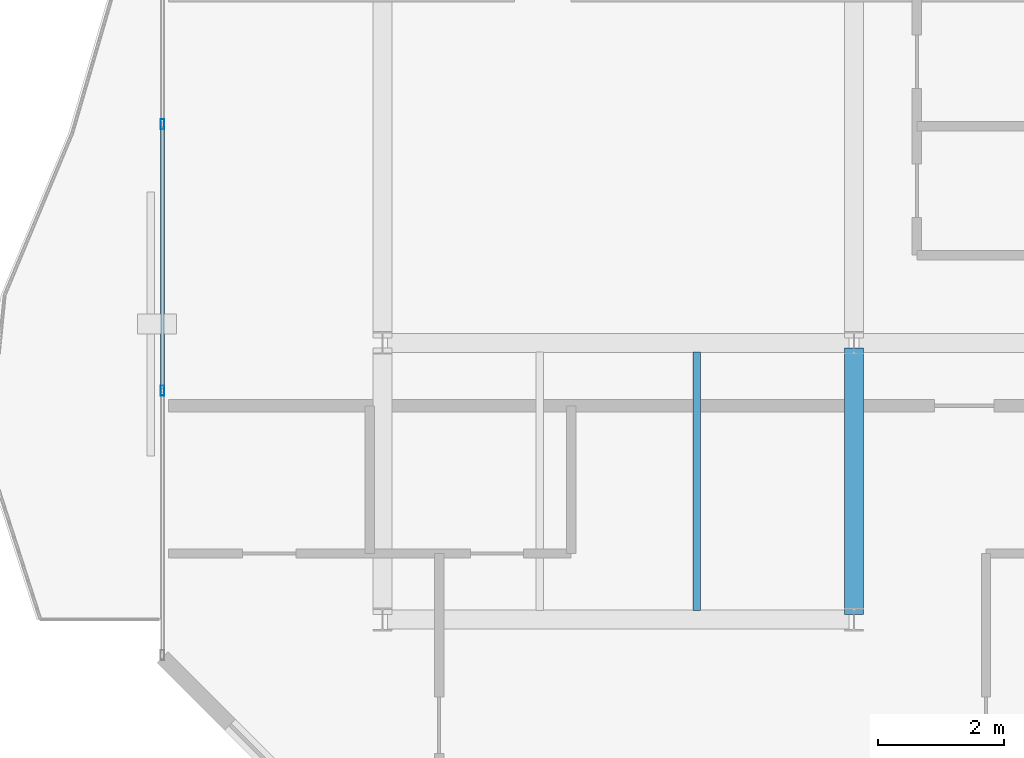
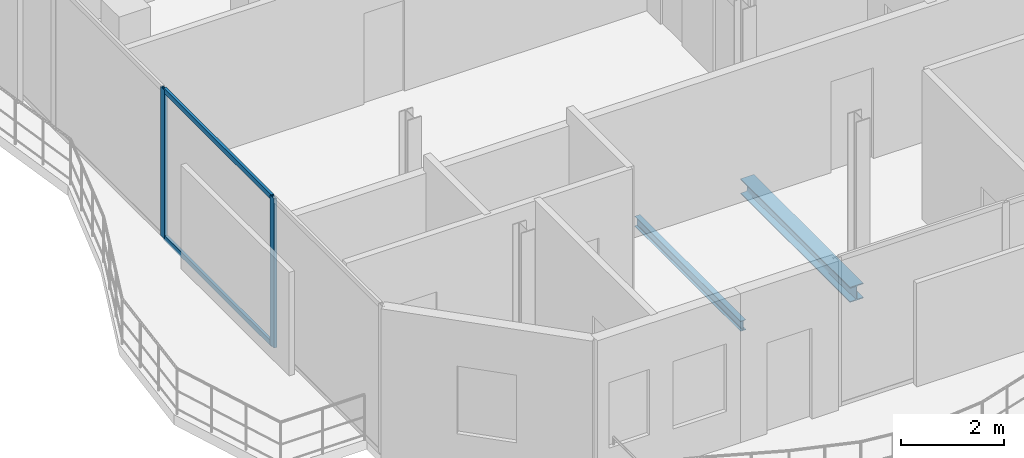
# One storey, part 5 of 22: 4 members, 2 beams, 1 element without a shape of its own.
"""IFC4 building model written with IfcOpenShell, lengths in metres."""

import ifcopenshell
import ifcopenshell.guid

model = None  # the IFC model being written
_history = None  # IfcOwnerHistory: only IFC2X3 demands one
_inside = {}  # id of a spatial element -> (the spatial element, [elements in it])
_under = {}  # id of a project, library or spatial element -> (it, [spatial elements below it])
_declared = {}  # id of a project -> (the project, [libraries it declares])
_typed = {}  # id of a type object -> (the type object, [elements of that type])
_made_of = {}  # id of a material, layer set ... -> (it, [elements and type objects made of it])


def new_model(schema):
    """Start an empty IFC model of exactly this schema.

    Asked for "IFC4X3", IfcOpenShell would pick the latest addendum, in which some entities
    have other attributes; the version numbers below select the first issue.
    IFC2X3 requires an IfcOwnerHistory on every rooted entity: one is made here for all.
    """
    global model, _history
    if schema == "IFC4X3":
        model = ifcopenshell.file(schema_version=(4, 3, 0, 0))
    else:
        model = ifcopenshell.file(schema=schema)
    _inside.clear()
    _under.clear()
    _declared.clear()
    _typed.clear()
    _made_of.clear()
    _history = None
    if model.schema == "IFC2X3":
        org = make("IfcOrganization", Name="unknown")
        user = make(
            "IfcPersonAndOrganization",
            ThePerson=make("IfcPerson", FamilyName="unknown"),
            TheOrganization=org,
        )
        app = make(
            "IfcApplication",
            ApplicationDeveloper=org,
            Version="unknown",
            ApplicationFullName="unknown",
            ApplicationIdentifier="unknown",
        )
        _history = make(
            "IfcOwnerHistory",
            OwningUser=user,
            OwningApplication=app,
            ChangeAction="ADDED",
            CreationDate=0,
        )
    return model


def make(cls, **values):
    """One entity of the class cls with the attributes given. An attribute that is None is left unset."""
    return model.create_entity(
        cls, **{name: value for name, value in values.items() if value is not None}
    )


def rooted(cls, **values):
    """An entity with a GlobalId (a new one), such as an element, a storey or a relation."""
    return make(cls, GlobalId=ifcopenshell.guid.new(), OwnerHistory=_history, **values)


def si_unit(unit_type, name, prefix=None):
    """IfcSIUnit, for example si_unit("LENGTHUNIT", "METRE", prefix="MILLI")."""
    return make("IfcSIUnit", UnitType=unit_type, Prefix=prefix, Name=name)


def assignment(units):
    """IfcUnitAssignment: the units of a project."""
    return None if units is None else make("IfcUnitAssignment", Units=units)


def point(xyz):
    """IfcCartesianPoint."""
    return None if xyz is None else make("IfcCartesianPoint", Coordinates=xyz)


def direction(xyz):
    """IfcDirection."""
    return None if xyz is None else make("IfcDirection", DirectionRatios=xyz)


def frame(location, z_axis=None, x_axis=None):
    """IfcAxis2Placement3D, a coordinate frame: its origin and axes. An axis left out is left unset."""
    return make(
        "IfcAxis2Placement3D",
        Location=point(location),
        Axis=direction(z_axis),
        RefDirection=direction(x_axis),
    )


def frame_2d(location, x_axis=None):
    """IfcAxis2Placement2D, a coordinate frame in the plane: its origin and x axis."""
    return make(
        "IfcAxis2Placement2D", Location=point(location), RefDirection=direction(x_axis)
    )


def origin():
    """The frame at (0, 0, 0) with its axes left unset."""
    return frame((0.0, 0.0, 0.0))


def origin_2d():
    """The frame at (0, 0) in the plane with its x axis left unset."""
    return frame_2d((0.0, 0.0))


def place(relative_to, where):
    """IfcLocalPlacement: puts the frame where relative to a parent placement (None: the world)."""
    return make(
        "IfcLocalPlacement", PlacementRelTo=relative_to, RelativePlacement=where
    )


def context(
    kind, dimensions, precision=None, world=None, true_north=None, identifier=None
):
    """IfcGeometricRepresentationContext, for example the 3D "Model" context."""
    return make(
        "IfcGeometricRepresentationContext",
        ContextIdentifier=identifier,
        ContextType=kind,
        CoordinateSpaceDimension=dimensions,
        Precision=precision,
        WorldCoordinateSystem=world,
        TrueNorth=true_north,
    )


def subcontext(parent, identifier, kind, view, scale=None):
    """IfcGeometricRepresentationSubContext, for example "Body" below "Model"."""
    return make(
        "IfcGeometricRepresentationSubContext",
        ContextIdentifier=identifier,
        ContextType=kind,
        ParentContext=parent,
        TargetScale=scale,
        TargetView=view,
    )


def project(units=None, contexts=None):
    """IfcProject with its units and contexts."""
    return rooted(
        "IfcProject",
        Name="project",
        RepresentationContexts=contexts,
        UnitsInContext=assignment(units),
    )


def spatial(cls, under=None, at=None, **own):
    """A site, building, storey or space (cls), placed at a placement, below another one or the project."""
    s = rooted(cls, ObjectPlacement=at, **own)
    if under is not None:
        _under.setdefault(under.id(), (under, []))[1].append(s)
    return s


def profile(cls, at=None, kind="AREA", **sizes):
    """A parametric profile (cls). Its sizes go by their IFC names, for example OverallWidth=200.0."""
    return make(cls, ProfileType=kind, Position=at, **sizes)


def hollow_rectangle(**sizes):
    """IfcRectangleHollowProfileDef."""
    return profile("IfcRectangleHollowProfileDef", **sizes)


def i_section(**sizes):
    """IfcIShapeProfileDef."""
    return profile("IfcIShapeProfileDef", **sizes)


def extrude(swept, where, along, depth):
    """IfcExtrudedAreaSolid: the profile swept, set in the frame where, extruded along a direction by depth."""
    return make(
        "IfcExtrudedAreaSolid",
        SweptArea=swept,
        Position=where,
        ExtrudedDirection=direction(along),
        Depth=depth,
    )


def shape(context_of_items, identifier, shape_type, items):
    """IfcShapeRepresentation: the items that make up one representation, for example the "Body"."""
    return make(
        "IfcShapeRepresentation",
        ContextOfItems=context_of_items,
        RepresentationIdentifier=identifier,
        RepresentationType=shape_type,
        Items=items,
    )


def material(Name=None, Category=None):
    """IfcMaterial."""
    return make("IfcMaterial", Name=Name, Category=Category)


def layer(
    of_material, thickness, ventilated=None, Name=None, Category=None, Priority=None
):
    """IfcMaterialLayer: one layer of a wall or slab, of a material (None: an air gap)."""
    return make(
        "IfcMaterialLayer",
        Material=of_material,
        LayerThickness=thickness,
        IsVentilated=ventilated,
        Name=Name,
        Category=Category,
        Priority=Priority,
    )


def layer_set(layers, Name=None):
    """IfcMaterialLayerSet."""
    return make("IfcMaterialLayerSet", MaterialLayers=layers, LayerSetName=Name)


def material_profile(
    of_material, cross_section, Name=None, Category=None, Priority=None
):
    """IfcMaterialProfile: a cross section and its material."""
    return make(
        "IfcMaterialProfile",
        Name=Name,
        Material=of_material,
        Profile=cross_section,
        Priority=Priority,
        Category=Category,
    )


def profile_set(profiles, Name=None, composite=None):
    """IfcMaterialProfileSet."""
    return make(
        "IfcMaterialProfileSet",
        Name=Name,
        MaterialProfiles=profiles,
        CompositeProfile=composite,
    )


def made_of(thing, what):
    """Note that an element or type object is made of a material, layer set ...; save() writes the relation."""
    if what is not None:
        _made_of.setdefault(what.id(), (what, []))[1].append(thing)
    return thing


def type_object(cls, material=None, **own):
    """A type object (cls), such as IfcWallType, which elements share."""
    return made_of(rooted(cls, **own), material)


def element(
    cls,
    number,
    at=None,
    inside=None,
    cuts=None,
    type_object=None,
    material=None,
    context=None,
    identifier="Body",
    shape_type=None,
    held_by="IfcProductDefinitionShape",
    body=None,
    shapes=None,
    **own,
):
    """One element of the class cls, such as IfcWall. Its Tag is "e" and its number.

    at: its placement. inside: the storey or other place that contains it. cuts: it is an
    opening in that element (IfcRelVoidsElement). A single representation is given by context,
    identifier, shape_type and body (its items); several are given by shapes. held_by: the class
    of the entity that holds the representations. save() writes the other relations.
    """
    e = rooted(cls, Tag="e%d" % number, ObjectPlacement=at, **own)
    if body is not None:
        shapes = [shape(context, identifier, shape_type, body)]
    if shapes is not None:
        e.Representation = make(held_by, Representations=shapes)
    if inside is not None:
        _inside.setdefault(inside.id(), (inside, []))[1].append(e)
    if cuts is not None:
        rooted(
            "IfcRelVoidsElement", RelatingBuildingElement=cuts, RelatedOpeningElement=e
        )
    if type_object is not None:
        _typed.setdefault(type_object.id(), (type_object, []))[1].append(e)
    return made_of(e, material)


def aggregate(whole, parts):
    """IfcRelAggregates: a whole, such as a stair, and the parts it consists of."""
    return rooted("IfcRelAggregates", RelatingObject=whole, RelatedObjects=parts)


def save(model, path):
    """Write the relations noted so far, then the file.

    IfcRelAggregates (storeys below a building ...), IfcRelContainedInSpatialStructure (elements
    in a storey), IfcRelDefinesByType, IfcRelAssociatesMaterial and IfcRelDeclares: one each for
    every whole, place, type object, material and project.
    """
    for whole, parts in _under.values():
        aggregate(whole, parts)
    for where, things in _inside.values():
        rooted(
            "IfcRelContainedInSpatialStructure",
            RelatedElements=things,
            RelatingStructure=where,
        )
    for kind, things in _typed.values():
        rooted("IfcRelDefinesByType", RelatedObjects=things, RelatingType=kind)
    for what, things in _made_of.values():
        rooted("IfcRelAssociatesMaterial", RelatedObjects=things, RelatingMaterial=what)
    for by, libraries in _declared.values():
        rooted("IfcRelDeclares", RelatingContext=by, RelatedDefinitions=libraries)
    model.write(path)


model = new_model("IFC4")

# Units and contexts
model_context = context("Model", 3, precision=1e-05, world=origin(), true_north=direction((0.0, 1.0)))
body_context = subcontext(model_context, "Body", "Model", "MODEL_VIEW")
ifc_project = project(units=[si_unit("LENGTHUNIT", "METRE"), si_unit("AREAUNIT", "SQUARE_METRE"), si_unit("VOLUMEUNIT", "CUBIC_METRE"), si_unit("PLANEANGLEUNIT", "RADIAN"), si_unit("MASSUNIT", "GRAM", prefix="KILO")], contexts=[model_context])

# Site, building, storey
site_placement = place(None, origin())
site = spatial("IfcSite", under=ifc_project, at=site_placement, CompositionType="ELEMENT")
building_placement = place(site_placement, origin())
building = spatial("IfcBuilding", under=site, at=building_placement, Name="Catumbela Crestline Tower", CompositionType="ELEMENT")
storey_placement = place(building_placement, frame((0.0, 0.0, 260.2)))
storey = spatial("IfcBuildingStorey", under=building, at=storey_placement, Name="L67", CompositionType="ELEMENT", Elevation=260.2)

# Beams
ifc_material_1 = material(Name="Structural steel S355J2", Category="steel")
ifc_material_profile_1 = material_profile(ifc_material_1, i_section(OverallWidth=0.3, OverallDepth=0.36, WebThickness=0.0125, FlangeThickness=0.0225, FilletRadius=0.027, at=origin_2d()), Name="HEB 360")
ifc_profile_set_1 = profile_set([ifc_material_profile_1], Name="Structural steel S355J2")
beam_type_1 = type_object("IfcBeamType", Name="BG-HEB360", PredefinedType="BEAM", material=ifc_profile_set_1)
beam_1_placement = place(storey_placement, frame((16.0, 13.68, -0.44), z_axis=(0.0, 1.0, 0.0), x_axis=(-1.0, 0.0, 0.0)))
element("IfcBeam", 1, at=beam_1_placement, inside=storey, type_object=beam_type_1, Name="L67 Beam BM-L67-WNS32", PredefinedType="BEAM", context=body_context, shape_type="SweptSolid", body=[
    extrude(i_section(OverallWidth=0.3, OverallDepth=0.36, WebThickness=0.0125, FlangeThickness=0.0225, FilletRadius=0.027, at=origin_2d()), origin(), (0.0, 0.0, 1.0), 4.24),
])
ifc_material_profile_2 = material_profile(ifc_material_1, i_section(OverallWidth=0.12, OverallDepth=0.24, WebThickness=0.0062, FlangeThickness=0.0098, FilletRadius=0.015, at=origin_2d()), Name="IPE 240")
ifc_profile_set_2 = profile_set([ifc_material_profile_2], Name="Structural steel S355J2")
beam_type_2 = type_object("IfcBeamType", Name="BJ-IPE240", PredefinedType="JOIST", material=ifc_profile_set_2)
beam_2_placement = place(storey_placement, frame((13.5, 13.747, -0.38), z_axis=(0.0, 1.0, 0.0), x_axis=(-1.0, 0.0, 0.0)))
element("IfcBeam", 2, at=beam_2_placement, inside=storey, type_object=beam_type_2, Name="L67 Joist JS-L67-WG35", PredefinedType="JOIST", context=body_context, shape_type="SweptSolid", body=[
    extrude(i_section(OverallWidth=0.12, OverallDepth=0.24, WebThickness=0.0062, FlangeThickness=0.0098, FilletRadius=0.015, at=origin_2d()), origin(), (0.0, 0.0, 1.0), 4.106),
])

# Curtain wall, members
ifc_material_2 = material(Name="Aluminium alloy AW-6060-T66", Category="aluminium")
ifc_layer = layer(ifc_material_2, 0.18, Name="Aluminium alloy AW-6060-T66")
ifc_layer_set = layer_set([ifc_layer], Name="Aluminium alloy AW-6060-T66")
curtain_wall_type = type_object("IfcCurtainWallType", Name="CWU-Z4", PredefinedType="USERDEFINED", material=ifc_layer_set)
curtain_wall_placement = place(storey_placement, origin())
curtain_wall = element("IfcCurtainWall", 3, at=curtain_wall_placement, inside=storey, type_object=curtain_wall_type, Name="L67 Unitised Curtain Wall CW-L67-E9S2", ObjectType="UNITISED", PredefinedType="USERDEFINED")
ifc_material_profile_3 = material_profile(ifc_material_2, hollow_rectangle(XDim=0.06, YDim=0.16, WallThickness=0.004, at=origin_2d()), Name="ALU 160x60x4")
ifc_profile_set_3 = profile_set([ifc_material_profile_3], Name="Aluminium alloy AW-6060-T66")
member_type_1 = type_object("IfcMemberType", Name="MUL-160X60", PredefinedType="MULLION", material=ifc_profile_set_3)
member_1_placement = place(storey_placement, frame((5.0, 21.48, 0.0), z_axis=(0.0, 0.0, 1.0), x_axis=(1.0, 0.0, 0.0)))
member_1 = element("IfcMember", 4, at=member_1_placement, type_object=member_type_1, Name="CWU-Z4 mullion 4", PredefinedType="MULLION", context=body_context, shape_type="SweptSolid", body=[
    extrude(hollow_rectangle(XDim=0.06, YDim=0.16, WallThickness=0.004, at=origin_2d()), origin(), (0.0, 0.0, 1.0), 3.53),
])
member_2_placement = place(storey_placement, frame((5.0, 17.24, 0.0), z_axis=(0.0, 0.0, 1.0), x_axis=(1.0, 0.0, 0.0)))
member_2 = element("IfcMember", 5, at=member_2_placement, type_object=member_type_1, Name="CWU-Z4 mullion 5", PredefinedType="MULLION", context=body_context, shape_type="SweptSolid", body=[
    extrude(hollow_rectangle(XDim=0.06, YDim=0.16, WallThickness=0.004, at=origin_2d()), origin(), (0.0, 0.0, 1.0), 3.53),
])
ifc_material_profile_4 = material_profile(ifc_material_2, hollow_rectangle(XDim=0.06, YDim=0.12, WallThickness=0.0035, at=origin_2d()), Name="ALU 120x60x3.5")
ifc_profile_set_4 = profile_set([ifc_material_profile_4], Name="Aluminium alloy AW-6060-T66")
member_type_2 = type_object("IfcMemberType", Name="TRN-120X60", PredefinedType="USERDEFINED", material=ifc_profile_set_4)
member_3_placement = place(storey_placement, frame((5.0, 21.4475, 0.03), z_axis=(0.0, -1.0, 0.0), x_axis=(1.0, 0.0, 0.0)))
member_3 = element("IfcMember", 6, at=member_3_placement, type_object=member_type_2, Name="CWU-Z4 transom 4.1", ObjectType="TRANSOM", PredefinedType="USERDEFINED", context=body_context, shape_type="SweptSolid", body=[
    extrude(hollow_rectangle(XDim=0.06, YDim=0.12, WallThickness=0.0035, at=origin_2d()), origin(), (0.0, 0.0, 1.0), 4.175),
])
member_4_placement = place(storey_placement, frame((5.0, 21.4475, 3.5), z_axis=(0.0, -1.0, 0.0), x_axis=(1.0, 0.0, 0.0)))
member_4 = element("IfcMember", 7, at=member_4_placement, type_object=member_type_2, Name="CWU-Z4 transom 4.2", ObjectType="TRANSOM", PredefinedType="USERDEFINED", context=body_context, shape_type="SweptSolid", body=[
    extrude(hollow_rectangle(XDim=0.06, YDim=0.12, WallThickness=0.0035, at=origin_2d()), origin(), (0.0, 0.0, 1.0), 4.175),
])
aggregate(curtain_wall, [member_1, member_2, member_3, member_4])

save(model, "model.ifc")
